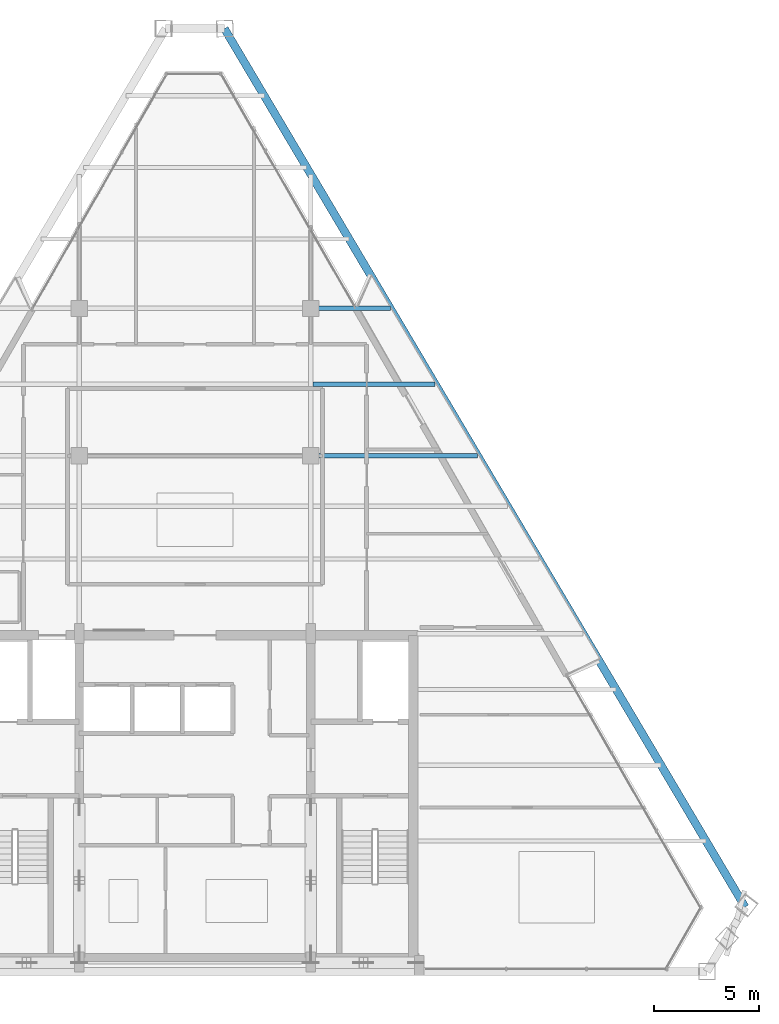
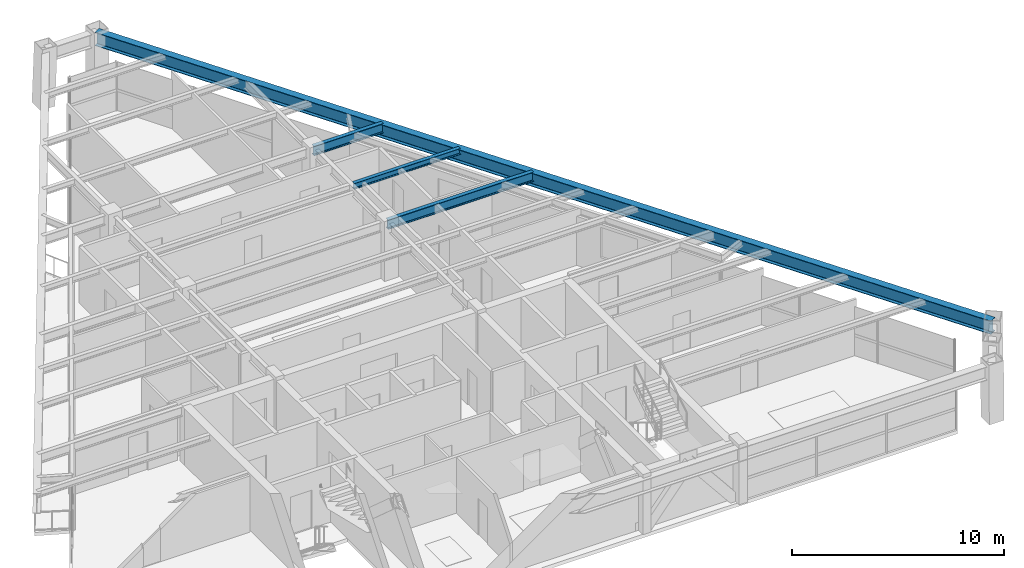
# One storey, part 6 of 13: 4 beams.
"""IFC4 building model written with IfcOpenShell, lengths in metres."""

from ifc_helpers import new_model, si_unit, direction, frame, origin, origin_2d, place, context, subcontext, project, spatial, i_section, extrude, source, transform, mapped, material, material_profile, profile_set, type_object, element, save


model = new_model("IFC4")

# Units and contexts
model_context = context("Model", 3, precision=1e-05, world=origin(), true_north=direction((0.0, 1.0)))
body_context = subcontext(model_context, "Body", "Model", "MODEL_VIEW")
ifc_project = project(units=[si_unit("LENGTHUNIT", "METRE"), si_unit("AREAUNIT", "SQUARE_METRE"), si_unit("VOLUMEUNIT", "CUBIC_METRE"), si_unit("PLANEANGLEUNIT", "RADIAN"), si_unit("MASSUNIT", "GRAM", prefix="KILO")], contexts=[model_context])

# Site, building, storey
site_placement = place(None, origin())
site = spatial("IfcSite", under=ifc_project, at=site_placement, CompositionType="ELEMENT")
building_placement = place(site_placement, origin())
building = spatial("IfcBuilding", under=site, at=building_placement, Name="Varnakhor Terracotta Tower", CompositionType="ELEMENT")
storey_placement = place(building_placement, frame((0.0, 0.0, 297.14990234375)))
storey = spatial("IfcBuildingStorey", under=building, at=storey_placement, Name="L78", CompositionType="ELEMENT", Elevation=297.14990234375)

# Beams
ifc_material = material(Name="Steel S355", Category="steel")
ifc_material_profile_1 = material_profile(ifc_material, i_section(OverallWidth=0.381103515625, OverallDepth=0.77294921875, WebThickness=0.01708984375, FlangeThickness=0.027099609375, FilletRadius=0.01806640625, at=origin_2d()), Name="W30X173")
ifc_profile_set_1 = profile_set([ifc_material_profile_1], Name="Steel S355")
beam_type_1 = type_object("IfcBeamType", Name="BM-W30X173", PredefinedType="BEAM", material=ifc_profile_set_1)
shared_shape_1 = source(origin(), body_context, "Body", "SweptSolid", [
    extrude(i_section(OverallWidth=0.381103515625, OverallDepth=0.77294921875, WebThickness=0.01708984375, FlangeThickness=0.027099609375, FilletRadius=0.01806640625, at=origin_2d()), origin(), (0.0, 0.0, 1.0), 48.508544921875),
])
beam_1_placement = place(storey_placement, frame((26.13330078125, 3.064697265625, 2.853515625), z_axis=(-0.509928479397, 0.860216801684, 0.0), x_axis=(-0.860216801684, -0.509928479397, 0.0)))
element("IfcBeam", 1, at=beam_1_placement, inside=storey, type_object=beam_type_1, Name="L78 Perimeter Spandrel 4", PredefinedType="BEAM", context=body_context, shape_type="MappedRepresentation", body=[
    mapped(shared_shape_1, transform((0.0, 0.0, 0.0), scale=1.0)),
])
ifc_material_profile_2 = material_profile(ifc_material, i_section(OverallWidth=0.214111328125, OverallDepth=0.549072265625, WebThickness=0.014892578125, FlangeThickness=0.02392578125, FilletRadius=0.01806640625, at=origin_2d()), Name="W21X93")
ifc_profile_set_2 = profile_set([ifc_material_profile_2], Name="Steel S355")
beam_type_2 = type_object("IfcBeamType", Name="BM-W21X93", PredefinedType="BEAM", material=ifc_profile_set_2)
shared_shape_2 = source(origin(), body_context, "Body", "SweptSolid", [
    extrude(i_section(OverallWidth=0.214111328125, OverallDepth=0.549072265625, WebThickness=0.014892578125, FlangeThickness=0.02392578125, FilletRadius=0.01806640625, at=origin_2d()), origin(), (0.0, 0.0, 1.0), 7.9267578125),
])
beam_2_placement = place(storey_placement, frame((5.5, 24.5, 2.965576171875), z_axis=(1.0, 0.0, 0.0), x_axis=(0.0, 1.0, 0.0)))
element("IfcBeam", 2, at=beam_2_placement, inside=storey, type_object=beam_type_2, Name="L78 Primary Girder EW2-3", PredefinedType="BEAM", context=body_context, shape_type="MappedRepresentation", body=[
    mapped(shared_shape_2, transform((0.0, 0.0, 0.0), scale=1.0)),
])
shared_shape_3 = source(origin(), body_context, "Body", "SweptSolid", [
    extrude(i_section(OverallWidth=0.214111328125, OverallDepth=0.549072265625, WebThickness=0.014892578125, FlangeThickness=0.02392578125, FilletRadius=0.01806640625, at=origin_2d()), origin(), (0.0, 0.0, 1.0), 3.777099609375),
])
beam_3_placement = place(storey_placement, frame((5.5, 31.5, 2.965576171875), z_axis=(1.0, 0.0, 0.0), x_axis=(0.0, 1.0, 0.0)))
element("IfcBeam", 3, at=beam_3_placement, inside=storey, type_object=beam_type_2, Name="L78 Primary Girder EW3-3", PredefinedType="BEAM", context=body_context, shape_type="MappedRepresentation", body=[
    mapped(shared_shape_3, transform((0.0, 0.0, 0.0), scale=1.0)),
])
ifc_material_profile_3 = material_profile(ifc_material, i_section(OverallWidth=0.202880859375, OverallDepth=0.346923828125, WebThickness=0.0078125, FlangeThickness=0.013427734375, FilletRadius=0.01806640625, at=origin_2d()), Name="W14X43")
ifc_profile_set_3 = profile_set([ifc_material_profile_3], Name="Steel S355")
beam_type_3 = type_object("IfcBeamType", Name="JST-W14X43", PredefinedType="JOIST", material=ifc_profile_set_3)
shared_shape_4 = source(origin(), body_context, "Body", "SweptSolid", [
    extrude(i_section(OverallWidth=0.202880859375, OverallDepth=0.346923828125, WebThickness=0.0078125, FlangeThickness=0.013427734375, FilletRadius=0.01806640625, at=origin_2d()), origin(), (0.0, 0.0, 1.0), 5.80810546875),
])
beam_4_placement = place(storey_placement, frame((5.60302734375, 27.89990234375, 3.066650390625), z_axis=(1.0, 0.0, 0.0), x_axis=(0.0, 1.0, 0.0)))
element("IfcBeam", 4, at=beam_4_placement, inside=storey, type_object=beam_type_3, Name="L78 Composite Floor Joist 6-3", PredefinedType="JOIST", context=body_context, shape_type="MappedRepresentation", body=[
    mapped(shared_shape_4, transform((0.0, 0.0, 0.0), scale=1.0)),
])

save(model, "model.ifc")
